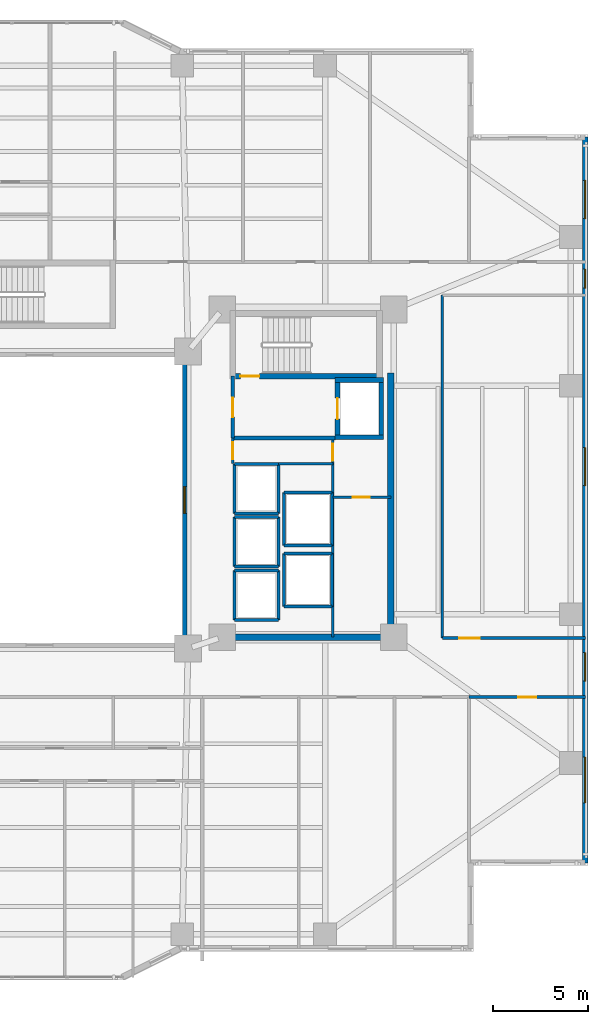
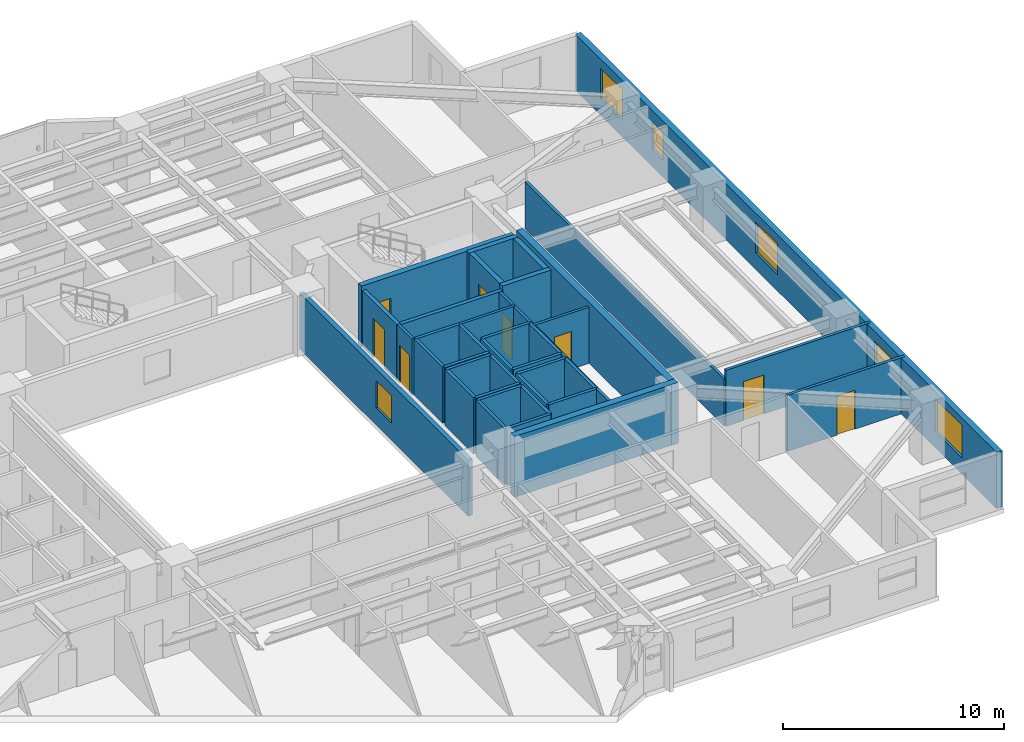
# One storey, part 12 of 19: 38 walls, 8 doors, 6 windows, 14 openings.
"""IFC4 building model written with IfcOpenShell, lengths in metres."""

import ifcopenshell
import ifcopenshell.guid

model = None  # the IFC model being written
_history = None  # IfcOwnerHistory: only IFC2X3 demands one
_inside = {}  # id of a spatial element -> (the spatial element, [elements in it])
_under = {}  # id of a project, library or spatial element -> (it, [spatial elements below it])
_declared = {}  # id of a project -> (the project, [libraries it declares])
_typed = {}  # id of a type object -> (the type object, [elements of that type])
_made_of = {}  # id of a material, layer set ... -> (it, [elements and type objects made of it])


def new_model(schema):
    """Start an empty IFC model of exactly this schema.

    Asked for "IFC4X3", IfcOpenShell would pick the latest addendum, in which some entities
    have other attributes; the version numbers below select the first issue.
    IFC2X3 requires an IfcOwnerHistory on every rooted entity: one is made here for all.
    """
    global model, _history
    if schema == "IFC4X3":
        model = ifcopenshell.file(schema_version=(4, 3, 0, 0))
    else:
        model = ifcopenshell.file(schema=schema)
    _inside.clear()
    _under.clear()
    _declared.clear()
    _typed.clear()
    _made_of.clear()
    _history = None
    if model.schema == "IFC2X3":
        org = make("IfcOrganization", Name="unknown")
        user = make(
            "IfcPersonAndOrganization",
            ThePerson=make("IfcPerson", FamilyName="unknown"),
            TheOrganization=org,
        )
        app = make(
            "IfcApplication",
            ApplicationDeveloper=org,
            Version="unknown",
            ApplicationFullName="unknown",
            ApplicationIdentifier="unknown",
        )
        _history = make(
            "IfcOwnerHistory",
            OwningUser=user,
            OwningApplication=app,
            ChangeAction="ADDED",
            CreationDate=0,
        )
    return model


def make(cls, **values):
    """One entity of the class cls with the attributes given. An attribute that is None is left unset."""
    return model.create_entity(
        cls, **{name: value for name, value in values.items() if value is not None}
    )


def rooted(cls, **values):
    """An entity with a GlobalId (a new one), such as an element, a storey or a relation."""
    return make(cls, GlobalId=ifcopenshell.guid.new(), OwnerHistory=_history, **values)


def si_unit(unit_type, name, prefix=None):
    """IfcSIUnit, for example si_unit("LENGTHUNIT", "METRE", prefix="MILLI")."""
    return make("IfcSIUnit", UnitType=unit_type, Prefix=prefix, Name=name)


def assignment(units):
    """IfcUnitAssignment: the units of a project."""
    return None if units is None else make("IfcUnitAssignment", Units=units)


def point(xyz):
    """IfcCartesianPoint."""
    return None if xyz is None else make("IfcCartesianPoint", Coordinates=xyz)


def direction(xyz):
    """IfcDirection."""
    return None if xyz is None else make("IfcDirection", DirectionRatios=xyz)


def frame(location, z_axis=None, x_axis=None):
    """IfcAxis2Placement3D, a coordinate frame: its origin and axes. An axis left out is left unset."""
    return make(
        "IfcAxis2Placement3D",
        Location=point(location),
        Axis=direction(z_axis),
        RefDirection=direction(x_axis),
    )


def frame_2d(location, x_axis=None):
    """IfcAxis2Placement2D, a coordinate frame in the plane: its origin and x axis."""
    return make(
        "IfcAxis2Placement2D", Location=point(location), RefDirection=direction(x_axis)
    )


def origin():
    """The frame at (0, 0, 0) with its axes left unset."""
    return frame((0.0, 0.0, 0.0))


def place(relative_to, where):
    """IfcLocalPlacement: puts the frame where relative to a parent placement (None: the world)."""
    return make(
        "IfcLocalPlacement", PlacementRelTo=relative_to, RelativePlacement=where
    )


def context(
    kind, dimensions, precision=None, world=None, true_north=None, identifier=None
):
    """IfcGeometricRepresentationContext, for example the 3D "Model" context."""
    return make(
        "IfcGeometricRepresentationContext",
        ContextIdentifier=identifier,
        ContextType=kind,
        CoordinateSpaceDimension=dimensions,
        Precision=precision,
        WorldCoordinateSystem=world,
        TrueNorth=true_north,
    )


def subcontext(parent, identifier, kind, view, scale=None):
    """IfcGeometricRepresentationSubContext, for example "Body" below "Model"."""
    return make(
        "IfcGeometricRepresentationSubContext",
        ContextIdentifier=identifier,
        ContextType=kind,
        ParentContext=parent,
        TargetScale=scale,
        TargetView=view,
    )


def project(units=None, contexts=None):
    """IfcProject with its units and contexts."""
    return rooted(
        "IfcProject",
        Name="project",
        RepresentationContexts=contexts,
        UnitsInContext=assignment(units),
    )


def spatial(cls, under=None, at=None, **own):
    """A site, building, storey or space (cls), placed at a placement, below another one or the project."""
    s = rooted(cls, ObjectPlacement=at, **own)
    if under is not None:
        _under.setdefault(under.id(), (under, []))[1].append(s)
    return s


def profile(cls, at=None, kind="AREA", **sizes):
    """A parametric profile (cls). Its sizes go by their IFC names, for example OverallWidth=200.0."""
    return make(cls, ProfileType=kind, Position=at, **sizes)


def rectangle(**sizes):
    """IfcRectangleProfileDef."""
    return profile("IfcRectangleProfileDef", **sizes)


def extrude(swept, where, along, depth):
    """IfcExtrudedAreaSolid: the profile swept, set in the frame where, extruded along a direction by depth."""
    return make(
        "IfcExtrudedAreaSolid",
        SweptArea=swept,
        Position=where,
        ExtrudedDirection=direction(along),
        Depth=depth,
    )


def shape(context_of_items, identifier, shape_type, items):
    """IfcShapeRepresentation: the items that make up one representation, for example the "Body"."""
    return make(
        "IfcShapeRepresentation",
        ContextOfItems=context_of_items,
        RepresentationIdentifier=identifier,
        RepresentationType=shape_type,
        Items=items,
    )


def material(Name=None, Category=None):
    """IfcMaterial."""
    return make("IfcMaterial", Name=Name, Category=Category)


def layer(
    of_material, thickness, ventilated=None, Name=None, Category=None, Priority=None
):
    """IfcMaterialLayer: one layer of a wall or slab, of a material (None: an air gap)."""
    return make(
        "IfcMaterialLayer",
        Material=of_material,
        LayerThickness=thickness,
        IsVentilated=ventilated,
        Name=Name,
        Category=Category,
        Priority=Priority,
    )


def layer_set(layers, Name=None):
    """IfcMaterialLayerSet."""
    return make("IfcMaterialLayerSet", MaterialLayers=layers, LayerSetName=Name)


def made_of(thing, what):
    """Note that an element or type object is made of a material, layer set ...; save() writes the relation."""
    if what is not None:
        _made_of.setdefault(what.id(), (what, []))[1].append(thing)
    return thing


def type_object(cls, material=None, **own):
    """A type object (cls), such as IfcWallType, which elements share."""
    return made_of(rooted(cls, **own), material)


def element(
    cls,
    number,
    at=None,
    inside=None,
    cuts=None,
    type_object=None,
    material=None,
    context=None,
    identifier="Body",
    shape_type=None,
    held_by="IfcProductDefinitionShape",
    body=None,
    shapes=None,
    **own,
):
    """One element of the class cls, such as IfcWall. Its Tag is "e" and its number.

    at: its placement. inside: the storey or other place that contains it. cuts: it is an
    opening in that element (IfcRelVoidsElement). A single representation is given by context,
    identifier, shape_type and body (its items); several are given by shapes. held_by: the class
    of the entity that holds the representations. save() writes the other relations.
    """
    e = rooted(cls, Tag="e%d" % number, ObjectPlacement=at, **own)
    if body is not None:
        shapes = [shape(context, identifier, shape_type, body)]
    if shapes is not None:
        e.Representation = make(held_by, Representations=shapes)
    if inside is not None:
        _inside.setdefault(inside.id(), (inside, []))[1].append(e)
    if cuts is not None:
        rooted(
            "IfcRelVoidsElement", RelatingBuildingElement=cuts, RelatedOpeningElement=e
        )
    if type_object is not None:
        _typed.setdefault(type_object.id(), (type_object, []))[1].append(e)
    return made_of(e, material)


def fill(opening, filler):
    """IfcRelFillsElement: the door or window that sits in an opening."""
    return rooted(
        "IfcRelFillsElement",
        RelatingOpeningElement=opening,
        RelatedBuildingElement=filler,
    )


def aggregate(whole, parts):
    """IfcRelAggregates: a whole, such as a stair, and the parts it consists of."""
    return rooted("IfcRelAggregates", RelatingObject=whole, RelatedObjects=parts)


def save(model, path):
    """Write the relations noted so far, then the file.

    IfcRelAggregates (storeys below a building ...), IfcRelContainedInSpatialStructure (elements
    in a storey), IfcRelDefinesByType, IfcRelAssociatesMaterial and IfcRelDeclares: one each for
    every whole, place, type object, material and project.
    """
    for whole, parts in _under.values():
        aggregate(whole, parts)
    for where, things in _inside.values():
        rooted(
            "IfcRelContainedInSpatialStructure",
            RelatedElements=things,
            RelatingStructure=where,
        )
    for kind, things in _typed.values():
        rooted("IfcRelDefinesByType", RelatedObjects=things, RelatingType=kind)
    for what, things in _made_of.values():
        rooted("IfcRelAssociatesMaterial", RelatedObjects=things, RelatingMaterial=what)
    for by, libraries in _declared.values():
        rooted("IfcRelDeclares", RelatingContext=by, RelatedDefinitions=libraries)
    model.write(path)


model = new_model("IFC4")

# Units and contexts
model_context = context("Model", 3, precision=1e-05, world=origin(), true_north=direction((0.0, 1.0)))
body_context = subcontext(model_context, "Body", "Model", "MODEL_VIEW")
ifc_project = project(units=[si_unit("LENGTHUNIT", "METRE"), si_unit("AREAUNIT", "SQUARE_METRE"), si_unit("VOLUMEUNIT", "CUBIC_METRE"), si_unit("PLANEANGLEUNIT", "RADIAN"), si_unit("MASSUNIT", "GRAM", prefix="KILO")], contexts=[model_context])

# Site, building, storey
site_placement = place(None, origin())
site = spatial("IfcSite", under=ifc_project, at=site_placement, CompositionType="ELEMENT")
building_placement = place(site_placement, origin())
building = spatial("IfcBuilding", under=site, at=building_placement, Name="Tarnavaz Court Tower", CompositionType="ELEMENT")
storey_placement = place(building_placement, frame((0.0, 0.0, 54.14990234375)))
storey = spatial("IfcBuildingStorey", under=building, at=storey_placement, Name="L14", CompositionType="ELEMENT", Elevation=54.14990234375)

# Wall, opening, door
ifc_material_1 = material(Name="Concrete C60/75", Category="concrete")
ifc_layer_1 = layer(ifc_material_1, 0.25)
ifc_layer_set_1 = layer_set([ifc_layer_1], Name="Concrete C60/75")
wall_type_1 = type_object("IfcWallType", Name="WL-CORE-250-C60", PredefinedType="SHEAR", material=ifc_layer_set_1)
wall_1_placement = place(storey_placement, frame((15.64990234375, 3.175048828125, 0.0), z_axis=(0.0, 0.0, 1.0), x_axis=(0.0, 1.0, 0.0)))
wall_1 = element("IfcWall", 1, at=wall_1_placement, inside=storey, type_object=wall_type_1, Name="L14 Lift FL-E1 Shaft Wall 045", PredefinedType="SHEAR", context=body_context, shape_type="SweptSolid", body=[
    extrude(rectangle(XDim=3.25, YDim=0.25, at=frame_2d((1.625, 0.0))), origin(), (0.0, 0.0, 1.0), 3.35009765625),
])
opening_1_placement = place(wall_1_placement, frame((1.074951171875, 0.0, 0.0)))
opening_1 = element("IfcOpeningElement", 2, at=opening_1_placement, cuts=wall_1, Name="Opening LD1", PredefinedType="OPENING", context=body_context, shape_type="SweptSolid", body=[
    extrude(rectangle(XDim=1.10009765625, YDim=2.14990234375, at=frame_2d((0.550048828125, 1.074951171875))), frame((0.0, 0.135009765625, 0.0), z_axis=(0.0, -1.0, 0.0), x_axis=(1.0, 0.0, 0.0)), (0.0, 0.0, 1.0), 0.27001953125),
])
ifc_material_2 = material(Name="Stainless Steel", Category="steel")
door_type_1 = type_object("IfcDoorType", Name="DR-LD-1100", OperationType="NOTDEFINED", PredefinedType="DOOR", material=ifc_material_2)
door_1_placement = place(opening_1_placement, origin())
door_1 = element("IfcDoor", 3, at=door_1_placement, inside=storey, type_object=door_type_1, Name="L14 Lift Landing Door LD-FL-E1", OperationType="SLIDING_TO_LEFT", OverallHeight=2.14990234375, OverallWidth=1.10009765625, PredefinedType="DOOR", context=body_context, shape_type="SweptSolid", body=[
    extrude(rectangle(XDim=1.10009765625, YDim=2.14990234375, at=frame_2d((0.550048828125, 1.074951171875))), frame((0.0, 0.02490234375, 0.0), z_axis=(0.0, -1.0, 0.0), x_axis=(1.0, 0.0, 0.0)), (0.0, 0.0, 1.0), 0.050048828125),
])
fill(opening_1, door_1)

# Walls
wall_2_placement = place(storey_placement, frame((17.949951171875, 3.175048828125, 0.0), z_axis=(0.0, 0.0, 1.0), x_axis=(0.0, 1.0, 0.0)))
element("IfcWall", 4, at=wall_2_placement, inside=storey, type_object=wall_type_1, Name="L14 Lift FL-E1 Shaft Wall 046", PredefinedType="SHEAR", context=body_context, shape_type="SweptSolid", body=[
    extrude(rectangle(XDim=3.25, YDim=0.25, at=frame_2d((1.625, 0.0))), origin(), (0.0, 0.0, 1.0), 3.35009765625),
])
for number, where, z_axis, x_axis, name in (
    (5, (15.52490234375, 3.300048828125, 0.0), (0.0, 0.0, 1.0), (1.0, 0.0, 0.0), "L14 Lift FL-E1 Shaft Wall 047"),
    (6, (15.52490234375, 6.300048828125, 0.0), (0.0, 0.0, 1.0), (1.0, 0.0, 0.0), "L14 Lift FL-E1 Shaft Wall 048"),
):
    element("IfcWall", number, at=place(storey_placement, frame(where, z_axis=z_axis, x_axis=x_axis)), inside=storey, type_object=wall_type_1, Name=name, PredefinedType="SHEAR", context=body_context, shape_type="SweptSolid", body=[
        extrude(rectangle(XDim=2.550048828125, YDim=0.25, at=frame_2d((1.27490234375, 0.0))), origin(), (0.0, 0.0, 1.0), 3.35009765625),
    ])

# Wall, opening, door
ifc_layer_2 = layer(ifc_material_1, 0.300048828125)
ifc_layer_set_2 = layer_set([ifc_layer_2], Name="Concrete C60/75")
wall_type_2 = type_object("IfcWallType", Name="WL-CORE-300-C60", PredefinedType="SHEAR", material=ifc_layer_set_2)
wall_3_placement = place(storey_placement, frame((10.0, 6.5, 0.0), z_axis=(0.0, 0.0, 1.0), x_axis=(1.0, 0.0, 0.0)))
wall_3 = element("IfcWall", 7, at=wall_3_placement, inside=storey, type_object=wall_type_2, Name="L14 East Stair Core Wall 006", PredefinedType="SHEAR", context=body_context, shape_type="SweptSolid", body=[
    extrude(rectangle(XDim=8.0, YDim=0.300048828125, at=frame_2d((4.0, 0.0))), origin(), (0.0, 0.0, 1.0), 3.35009765625),
])
opening_2_placement = place(wall_3_placement, frame((0.550048828125, 0.0, 0.0)))
opening_2 = element("IfcOpeningElement", 8, at=opening_2_placement, cuts=wall_3, Name="Opening D01", PredefinedType="OPENING", context=body_context, shape_type="SweptSolid", body=[
    extrude(rectangle(XDim=1.0, YDim=2.14990234375, at=frame_2d((0.5, 1.074951171875))), frame((0.0, 0.159912109375, 0.0), z_axis=(0.0, -1.0, 0.0), x_axis=(1.0, 0.0, 0.0)), (0.0, 0.0, 1.0), 0.320068359375),
])
ifc_material_3 = material(Name="Fire-Rated Hardwood Timber Core", Category="wood")
door_type_2 = type_object("IfcDoorType", Name="DR-FD90-1000", OperationType="NOTDEFINED", PredefinedType="DOOR", material=ifc_material_3)
door_2_placement = place(opening_2_placement, origin())
door_2 = element("IfcDoor", 9, at=door_2_placement, inside=storey, type_object=door_type_2, Name="L14 Stair ST-E1 Exit Door", OperationType="SINGLE_SWING_RIGHT", OverallHeight=2.14990234375, OverallWidth=1.0, PredefinedType="DOOR", context=body_context, shape_type="SweptSolid", body=[
    extrude(rectangle(XDim=1.0, YDim=2.14990234375, at=frame_2d((0.5, 1.074951171875))), frame((0.0, 0.02490234375, 0.0), z_axis=(0.0, -1.0, 0.0), x_axis=(1.0, 0.0, 0.0)), (0.0, 0.0, 1.0), 0.050048828125),
])
fill(opening_2, door_2)

# Walls
ifc_layer_3 = layer(ifc_material_1, 0.35009765625)
ifc_layer_set_3 = layer_set([ifc_layer_3], Name="Concrete C60/75")
wall_type_3 = type_object("IfcWallType", Name="WL-CORE-350-C60", PredefinedType="SHEAR", material=ifc_layer_set_3)
wall_4_placement = place(storey_placement, frame((18.449951171875, -7.375, 0.0), z_axis=(0.0, 0.0, 1.0), x_axis=(0.0, 1.0, 0.0)))
element("IfcWall", 10, at=wall_4_placement, inside=storey, type_object=wall_type_3, Name="L14 East Core Shear Wall 071", PredefinedType="SHEAR", context=body_context, shape_type="SweptSolid", body=[
    extrude(rectangle(XDim=14.050048828125, YDim=0.35009765625, at=frame_2d((7.02490234375, 0.0))), origin(), (0.0, 0.0, 1.0), 3.35009765625),
])
wall_5_placement = place(storey_placement, frame((10.074951171875, -7.199951171875, 0.0), z_axis=(0.0, 0.0, 1.0), x_axis=(1.0, 0.0, 0.0)))
element("IfcWall", 11, at=wall_5_placement, inside=storey, type_object=wall_type_3, Name="L14 East Core South Shear Wall 072", PredefinedType="SHEAR", context=body_context, shape_type="SweptSolid", body=[
    extrude(rectangle(XDim=8.550048828125, YDim=0.35009765625, at=frame_2d((4.27490234375, 0.0))), origin(), (0.0, 0.0, 1.0), 3.35009765625),
])

# Wall, openings, windows
ifc_material_4 = material(Name="Precast Concrete C40/50", Category="concrete")
ifc_layer_4 = layer(ifc_material_4, 0.300048828125)
ifc_layer_set_4 = layer_set([ifc_layer_4], Name="Precast Concrete C40/50")
wall_type_4 = type_object("IfcWallType", Name="WL-EXT-300", PredefinedType="SOLIDWALL", material=ifc_layer_set_4)
wall_6_placement = place(storey_placement, frame((28.64990234375, 19.050048828125, 0.0), z_axis=(0.0, 0.0, 1.0), x_axis=(0.0, -1.0, 0.0)))
wall_6 = element("IfcWall", 12, at=wall_6_placement, inside=storey, type_object=wall_type_4, Name="L14 Exterior Terracotta Facade Wall 12", PredefinedType="SOLIDWALL", context=body_context, shape_type="SweptSolid", body=[
    extrude(rectangle(XDim=38.10009765625, YDim=0.300048828125, at=frame_2d((19.050048828125, 0.0))), origin(), (0.0, 0.0, 1.0), 3.10009765625),
])
opening_3_placement = place(wall_6_placement, frame((2.27490234375, 0.0, 0.89990234375)))
opening_3 = element("IfcOpeningElement", 13, at=opening_3_placement, cuts=wall_6, Name="Opening W08", PredefinedType="OPENING", context=body_context, shape_type="SweptSolid", body=[
    extrude(rectangle(XDim=2.0, YDim=1.699951171875, at=frame_2d((1.0, 0.85009765625))), frame((0.0, 0.159912109375, 0.0), z_axis=(0.0, -1.0, 0.0), x_axis=(1.0, 0.0, 0.0)), (0.0, 0.0, 1.0), 0.320068359375),
])
opening_4_placement = place(wall_6_placement, frame((6.925048828125, 0.0, 0.949951171875)))
opening_4 = element("IfcOpeningElement", 14, at=opening_4_placement, cuts=wall_6, Name="Opening W14", PredefinedType="OPENING", context=body_context, shape_type="SweptSolid", body=[
    extrude(rectangle(XDim=1.0, YDim=1.5, at=frame_2d((0.5, 0.75))), frame((0.0, 0.159912109375, 0.0), z_axis=(0.0, -1.0, 0.0), x_axis=(1.0, 0.0, 0.0)), (0.0, 0.0, 1.0), 0.320068359375),
])
opening_5_placement = place(wall_6_placement, frame((16.300048828125, 0.0, 0.89990234375)))
opening_5 = element("IfcOpeningElement", 15, at=opening_5_placement, cuts=wall_6, Name="Opening W08", PredefinedType="OPENING", context=body_context, shape_type="SweptSolid", body=[
    extrude(rectangle(XDim=2.0, YDim=1.699951171875, at=frame_2d((1.0, 0.85009765625))), frame((0.0, 0.159912109375, 0.0), z_axis=(0.0, -1.0, 0.0), x_axis=(1.0, 0.0, 0.0)), (0.0, 0.0, 1.0), 0.320068359375),
])
opening_6_placement = place(wall_6_placement, frame((27.0576171875, 0.0, 0.89990234375)))
opening_6 = element("IfcOpeningElement", 16, at=opening_6_placement, cuts=wall_6, Name="Opening W03", PredefinedType="OPENING", context=body_context, shape_type="SweptSolid", body=[
    extrude(rectangle(XDim=1.5, YDim=1.64990234375, at=frame_2d((0.75, 0.824951171875))), frame((0.0, 0.159912109375, 0.0), z_axis=(0.0, -1.0, 0.0), x_axis=(1.0, 0.0, 0.0)), (0.0, 0.0, 1.0), 0.320068359375),
])
opening_7_placement = place(wall_6_placement, frame((32.550048828125, 0.0, 0.89990234375)))
opening_7 = element("IfcOpeningElement", 17, at=opening_7_placement, cuts=wall_6, Name="Opening W06", PredefinedType="OPENING", context=body_context, shape_type="SweptSolid", body=[
    extrude(rectangle(XDim=2.39990234375, YDim=1.800048828125, at=frame_2d((1.199951171875, 0.89990234375))), frame((0.0, 0.159912109375, 0.0), z_axis=(0.0, -1.0, 0.0), x_axis=(1.0, 0.0, 0.0)), (0.0, 0.0, 1.0), 0.320068359375),
])
ifc_material_5 = material(Name="Double-Glazed Solar Low-E Glass", Category="glass")
window_type_1 = type_object("IfcWindowType", Name="WN-APT-1000", PartitioningType="SINGLE_PANEL", PredefinedType="WINDOW", material=ifc_material_5)
window_1_placement = place(opening_4_placement, origin())
window_1 = element("IfcWindow", 18, at=window_1_placement, inside=storey, type_object=window_type_1, Name="L14 North-East Corner Corridor Window", OverallHeight=1.5, OverallWidth=1.0, PartitioningType="SINGLE_PANEL", PredefinedType="WINDOW", context=body_context, shape_type="SweptSolid", body=[
    extrude(rectangle(XDim=1.0, YDim=1.5, at=frame_2d((0.5, 0.75))), frame((0.0, 0.030029296875, 0.0), z_axis=(0.0, -1.0, 0.0), x_axis=(1.0, 0.0, 0.0)), (0.0, 0.0, 1.0), 0.06005859375),
])
fill(opening_4, window_1)
window_type_2 = type_object("IfcWindowType", Name="WN-APT-1500", PartitioningType="DOUBLE_PANEL_VERTICAL", PredefinedType="WINDOW", material=ifc_material_5)
window_2_placement = place(opening_6_placement, origin())
window_2 = element("IfcWindow", 19, at=window_2_placement, inside=storey, type_object=window_type_2, Name="L14 South-East Corner Corridor Window", OverallHeight=1.64990234375, OverallWidth=1.5, PartitioningType="SINGLE_PANEL", PredefinedType="WINDOW", context=body_context, shape_type="SweptSolid", body=[
    extrude(rectangle(XDim=1.5, YDim=1.64990234375, at=frame_2d((0.75, 0.824951171875))), frame((0.0, 0.030029296875, 0.0), z_axis=(0.0, -1.0, 0.0), x_axis=(1.0, 0.0, 0.0)), (0.0, 0.0, 1.0), 0.06005859375),
])
fill(opening_6, window_2)
window_type_3 = type_object("IfcWindowType", Name="WN-APT-2000", PartitioningType="DOUBLE_PANEL_VERTICAL", PredefinedType="WINDOW", material=ifc_material_5)
window_3_placement = place(opening_3_placement, origin())
window_3 = element("IfcWindow", 20, at=window_3_placement, inside=storey, type_object=window_type_3, Name="L14 North-East Corner Sunroom Study Window", OverallHeight=1.699951171875, OverallWidth=2.0, PartitioningType="SINGLE_PANEL", PredefinedType="WINDOW", context=body_context, shape_type="SweptSolid", body=[
    extrude(rectangle(XDim=2.0, YDim=1.699951171875, at=frame_2d((1.0, 0.85009765625))), frame((0.0, 0.030029296875, 0.0), z_axis=(0.0, -1.0, 0.0), x_axis=(1.0, 0.0, 0.0)), (0.0, 0.0, 1.0), 0.06005859375),
])
fill(opening_3, window_3)
window_4_placement = place(opening_5_placement, origin())
window_4 = element("IfcWindow", 21, at=window_4_placement, inside=storey, type_object=window_type_3, Name="L14 East Wing Resident Fitness Lounge Window", OverallHeight=1.699951171875, OverallWidth=2.0, PartitioningType="SINGLE_PANEL", PredefinedType="WINDOW", context=body_context, shape_type="SweptSolid", body=[
    extrude(rectangle(XDim=2.0, YDim=1.699951171875, at=frame_2d((1.0, 0.85009765625))), frame((0.0, 0.030029296875, 0.0), z_axis=(0.0, -1.0, 0.0), x_axis=(1.0, 0.0, 0.0)), (0.0, 0.0, 1.0), 0.06005859375),
])
fill(opening_5, window_4)
window_type_4 = type_object("IfcWindowType", Name="WN-APT-2400", PartitioningType="TRIPLE_PANEL_VERTICAL", PredefinedType="WINDOW", material=ifc_material_5)
window_5_placement = place(opening_7_placement, origin())
window_5 = element("IfcWindow", 22, at=window_5_placement, inside=storey, type_object=window_type_4, Name="L14 South-East Corner Reading Room Window", OverallHeight=1.800048828125, OverallWidth=2.39990234375, PartitioningType="SINGLE_PANEL", PredefinedType="WINDOW", context=body_context, shape_type="SweptSolid", body=[
    extrude(rectangle(XDim=2.39990234375, YDim=1.800048828125, at=frame_2d((1.199951171875, 0.89990234375))), frame((0.0, 0.030029296875, 0.0), z_axis=(0.0, -1.0, 0.0), x_axis=(1.0, 0.0, 0.0)), (0.0, 0.0, 1.0), 0.06005859375),
])
fill(opening_7, window_5)

# Wall
ifc_material_6 = material(Name="Gypsum Fire-Board on Acoustic Metal Stud", Category="masonry")
ifc_layer_5 = layer(ifc_material_6, 0.14990234375)
ifc_layer_set_5 = layer_set([ifc_layer_5], Name="Gypsum Fire-Board on Acoustic Metal Stud")
wall_type_5 = type_object("IfcWallType", Name="WL-FIRE-150", PredefinedType="PARTITIONING", material=ifc_layer_set_5)
wall_7_placement = place(storey_placement, frame((21.14990234375, -7.25, 0.0), z_axis=(0.0, 0.0, 1.0), x_axis=(0.0, 1.0, 0.0)))
element("IfcWall", 23, at=wall_7_placement, inside=storey, type_object=wall_type_5, Name="L14 East Outer Link Wall 084", PredefinedType="PARTITIONING", context=body_context, shape_type="SweptSolid", body=[
    extrude(rectangle(XDim=18.0, YDim=0.14990234375, at=frame_2d((9.0, 0.0))), origin(), (0.0, 0.0, 1.0), 2.585205078125),
])

# Wall, opening, door
wall_8_placement = place(storey_placement, frame((21.14990234375, -7.25, 0.0), z_axis=(0.0, 0.0, 1.0), x_axis=(1.0, 0.0, 0.0)))
wall_8 = element("IfcWall", 24, at=wall_8_placement, inside=storey, type_object=wall_type_5, Name="L14 Interior Partition 115", PredefinedType="PARTITIONING", context=body_context, shape_type="SweptSolid", body=[
    extrude(rectangle(XDim=7.530029296875, YDim=0.14990234375, at=frame_2d((3.76513671875, 0.0))), origin(), (0.0, 0.0, 1.0), 3.10009765625),
])
opening_8_placement = place(wall_8_placement, frame((0.89990234375, 0.0, 0.0)))
opening_8 = element("IfcOpeningElement", 25, at=opening_8_placement, cuts=wall_8, Name="Opening D12", PredefinedType="OPENING", context=body_context, shape_type="SweptSolid", body=[
    extrude(rectangle(XDim=1.080078125, YDim=2.14990234375, at=frame_2d((0.5400390625, 1.074951171875))), frame((0.0, 0.0849609375, 0.0), z_axis=(0.0, -1.0, 0.0), x_axis=(1.0, 0.0, 0.0)), (0.0, 0.0, 1.0), 0.169921875),
])
ifc_material_7 = material(Name="Engineered Oak Timber", Category="wood")
door_type_3 = type_object("IfcDoorType", Name="DR-INT-1100", OperationType="NOTDEFINED", PredefinedType="DOOR", material=ifc_material_7)
door_3_placement = place(opening_8_placement, origin())
door_3 = element("IfcDoor", 26, at=door_3_placement, inside=storey, type_object=door_type_3, Name="L14 East Fitness Lounge Door", OperationType="SINGLE_SWING_RIGHT", OverallHeight=2.14990234375, OverallWidth=1.080078125, PredefinedType="DOOR", context=body_context, shape_type="SweptSolid", body=[
    extrude(rectangle(XDim=1.080078125, YDim=2.14990234375, at=frame_2d((0.5400390625, 1.074951171875))), frame((0.0, 0.02490234375, 0.0), z_axis=(0.0, -1.0, 0.0), x_axis=(1.0, 0.0, 0.0)), (0.0, 0.0, 1.0), 0.050048828125),
])
fill(opening_8, door_3)

wall_9_placement = place(storey_placement, frame((22.550048828125, -10.35009765625, 0.0), z_axis=(0.0, 0.0, 1.0), x_axis=(1.0, 0.0, 0.0)))
wall_9 = element("IfcWall", 27, at=wall_9_placement, inside=storey, type_object=wall_type_5, Name="L14 Interior Partition 124", PredefinedType="PARTITIONING", context=body_context, shape_type="SweptSolid", body=[
    extrude(rectangle(XDim=6.1298828125, YDim=0.14990234375, at=frame_2d((3.06494140625, 0.0))), origin(), (0.0, 0.0, 1.0), 3.10009765625),
])
opening_9_placement = place(wall_9_placement, frame((2.590087890625, 0.0, 0.0)))
opening_9 = element("IfcOpeningElement", 28, at=opening_9_placement, cuts=wall_9, Name="Opening D13", PredefinedType="OPENING", context=body_context, shape_type="SweptSolid", body=[
    extrude(rectangle(XDim=0.949951171875, YDim=2.14990234375, at=frame_2d((0.47509765625, 1.074951171875))), frame((0.0, 0.0849609375, 0.0), z_axis=(0.0, -1.0, 0.0), x_axis=(1.0, 0.0, 0.0)), (0.0, 0.0, 1.0), 0.169921875),
])
door_type_4 = type_object("IfcDoorType", Name="DR-INT-950", OperationType="NOTDEFINED", PredefinedType="DOOR", material=ifc_material_7)
door_4_placement = place(opening_9_placement, origin())
door_4 = element("IfcDoor", 29, at=door_4_placement, inside=storey, type_object=door_type_4, Name="L14 SE Reading Room Door", OperationType="SINGLE_SWING_RIGHT", OverallHeight=2.14990234375, OverallWidth=0.949951171875, PredefinedType="DOOR", context=body_context, shape_type="SweptSolid", body=[
    extrude(rectangle(XDim=0.949951171875, YDim=2.14990234375, at=frame_2d((0.47509765625, 1.074951171875))), frame((0.0, 0.02490234375, 0.0), z_axis=(0.0, -1.0, 0.0), x_axis=(1.0, 0.0, 0.0)), (0.0, 0.0, 1.0), 0.050048828125),
])
fill(opening_9, door_4)

# Wall
ifc_material_8 = material(Name="Autoclaved Aerated Concrete Blockwork", Category="masonry")
ifc_layer_6 = layer(ifc_material_8, 0.199951171875)
ifc_layer_set_6 = layer_set([ifc_layer_6], Name="Autoclaved Aerated Concrete Blockwork")
wall_type_6 = type_object("IfcWallType", Name="WL-FIRE-200", PredefinedType="SOLIDWALL", material=ifc_layer_set_6)
wall_10_placement = place(storey_placement, frame((10.14990234375, 3.25, 0.0), z_axis=(0.0, 0.0, 1.0), x_axis=(1.0, 0.0, 0.0)))
element("IfcWall", 30, at=wall_10_placement, inside=storey, type_object=wall_type_6, Name="L14 East Firefighting Lobby Wall 015", PredefinedType="SOLIDWALL", context=body_context, shape_type="SweptSolid", body=[
    extrude(rectangle(XDim=5.400146484375, YDim=0.199951171875, at=frame_2d((2.7001953125, 0.0))), origin(), (0.0, 0.0, 1.0), 3.10009765625),
])

# Wall, opening, door
wall_11_placement = place(storey_placement, frame((10.14990234375, 3.25, 0.0), z_axis=(0.0, 0.0, 1.0), x_axis=(0.0, 1.0, 0.0)))
wall_11 = element("IfcWall", 31, at=wall_11_placement, inside=storey, type_object=wall_type_6, Name="L14 East Firefighting Lobby Wall 016", PredefinedType="SOLIDWALL", context=body_context, shape_type="SweptSolid", body=[
    extrude(rectangle(XDim=3.25, YDim=0.199951171875, at=frame_2d((1.625, 0.0))), origin(), (0.0, 0.0, 1.0), 3.10009765625),
])
opening_10_placement = place(wall_11_placement, frame((1.10009765625, 0.0, 0.0)))
opening_10 = element("IfcOpeningElement", 32, at=opening_10_placement, cuts=wall_11, Name="Opening D05", PredefinedType="OPENING", context=body_context, shape_type="SweptSolid", body=[
    extrude(rectangle(XDim=1.02001953125, YDim=2.14990234375, at=frame_2d((0.510009765625, 1.074951171875))), frame((0.0, 0.10986328125, 0.0), z_axis=(0.0, -1.0, 0.0), x_axis=(1.0, 0.0, 0.0)), (0.0, 0.0, 1.0), 0.219970703125),
])
door_type_5 = type_object("IfcDoorType", Name="DR-FD60-1000", OperationType="NOTDEFINED", PredefinedType="DOOR", material=ifc_material_3)
door_5_placement = place(opening_10_placement, origin())
door_5 = element("IfcDoor", 33, at=door_5_placement, inside=storey, type_object=door_type_5, Name="L14 East Firefighting Lobby Door", OperationType="SINGLE_SWING_LEFT", OverallHeight=2.14990234375, OverallWidth=1.02001953125, PredefinedType="DOOR", context=body_context, shape_type="SweptSolid", body=[
    extrude(rectangle(XDim=1.02001953125, YDim=2.14990234375, at=frame_2d((0.510009765625, 1.074951171875))), frame((0.0, 0.02490234375, 0.0), z_axis=(0.0, -1.0, 0.0), x_axis=(1.0, 0.0, 0.0)), (0.0, 0.0, 1.0), 0.050048828125),
])
fill(opening_10, door_5)

# Wall
ifc_material_9 = material(Name="Gypsum Plasterboard Acoustic Partition", Category="masonry")
ifc_layer_7 = layer(ifc_material_9, 0.139892578125)
ifc_layer_set_7 = layer_set([ifc_layer_7], Name="Gypsum Plasterboard Acoustic Partition")
wall_type_7 = type_object("IfcWallType", Name="WL-PART-150", PredefinedType="PARTITIONING", material=ifc_layer_set_7)
wall_12_placement = place(storey_placement, frame((12.550048828125, 1.89990234375, 0.0), z_axis=(0.0, 0.0, 1.0), x_axis=(1.0, 0.0, 0.0)))
element("IfcWall", 34, at=wall_12_placement, inside=storey, type_object=wall_type_7, Name="L14 Interior Partition 078", PredefinedType="PARTITIONING", context=body_context, shape_type="SweptSolid", body=[
    extrude(rectangle(XDim=2.849853515625, YDim=0.139892578125, at=frame_2d((1.4248046875, 0.0))), origin(), (0.0, 0.0, 1.0), 3.10009765625),
])

# Wall, opening, door
wall_13_placement = place(storey_placement, frame((10.14990234375, 1.919921875, 0.0), z_axis=(0.0, 0.0, 1.0), x_axis=(0.0, 1.0, 0.0)))
wall_13 = element("IfcWall", 35, at=wall_13_placement, inside=storey, type_object=wall_type_7, Name="L14 Interior Partition 079", PredefinedType="PARTITIONING", context=body_context, shape_type="SweptSolid", body=[
    extrude(rectangle(XDim=1.330078125, YDim=0.139892578125, at=frame_2d((0.6650390625, 0.0))), origin(), (0.0, 0.0, 1.0), 3.10009765625),
])
opening_11_placement = place(wall_13_placement, frame((0.219970703125, 0.0, 0.0)))
opening_11 = element("IfcOpeningElement", 36, at=opening_11_placement, cuts=wall_13, Name="Opening D09", PredefinedType="OPENING", context=body_context, shape_type="SweptSolid", body=[
    extrude(rectangle(XDim=0.89990234375, YDim=2.080078125, at=frame_2d((0.449951171875, 1.0400390625))), frame((0.0, 0.079833984375, 0.0), z_axis=(0.0, -1.0, 0.0), x_axis=(1.0, 0.0, 0.0)), (0.0, 0.0, 1.0), 0.159912109375),
])
door_type_6 = type_object("IfcDoorType", Name="DR-FD30-900", OperationType="NOTDEFINED", PredefinedType="DOOR", material=ifc_material_3)
door_6_placement = place(opening_11_placement, origin())
door_6 = element("IfcDoor", 37, at=door_6_placement, inside=storey, type_object=door_type_6, Name="L14 East Core Service Lobby Door", OperationType="SINGLE_SWING_LEFT", OverallHeight=2.080078125, OverallWidth=0.89990234375, PredefinedType="DOOR", context=body_context, shape_type="SweptSolid", body=[
    extrude(rectangle(XDim=0.89990234375, YDim=2.080078125, at=frame_2d((0.449951171875, 1.0400390625))), frame((0.0, 0.02490234375, 0.0), z_axis=(0.0, -1.0, 0.0), x_axis=(1.0, 0.0, 0.0)), (0.0, 0.0, 1.0), 0.050048828125),
])
fill(opening_11, door_6)

wall_14_placement = place(storey_placement, frame((15.39990234375, -7.199951171875, 0.0), z_axis=(0.0, 0.0, 1.0), x_axis=(0.0, 1.0, 0.0)))
wall_14 = element("IfcWall", 38, at=wall_14_placement, inside=storey, type_object=wall_type_7, Name="L14 Interior Partition 080", PredefinedType="PARTITIONING", context=body_context, shape_type="SweptSolid", body=[
    extrude(rectangle(XDim=10.449951171875, YDim=0.139892578125, at=frame_2d((5.22509765625, 0.0))), origin(), (0.0, 0.0, 1.0), 3.10009765625),
])
opening_12_placement = place(wall_14_placement, frame((9.25, 0.0, 0.0)))
opening_12 = element("IfcOpeningElement", 39, at=opening_12_placement, cuts=wall_14, Name="Opening D09", PredefinedType="OPENING", context=body_context, shape_type="SweptSolid", body=[
    extrude(rectangle(XDim=0.89990234375, YDim=2.080078125, at=frame_2d((0.449951171875, 1.0400390625))), frame((0.0, 0.079833984375, 0.0), z_axis=(0.0, -1.0, 0.0), x_axis=(1.0, 0.0, 0.0)), (0.0, 0.0, 1.0), 0.159912109375),
])
door_7_placement = place(opening_12_placement, origin())
door_7 = element("IfcDoor", 40, at=door_7_placement, inside=storey, type_object=door_type_6, Name="L14 East Wet Riser Door", OperationType="SINGLE_SWING_RIGHT", OverallHeight=2.080078125, OverallWidth=0.89990234375, PredefinedType="DOOR", context=body_context, shape_type="SweptSolid", body=[
    extrude(rectangle(XDim=0.89990234375, YDim=2.080078125, at=frame_2d((0.449951171875, 1.0400390625))), frame((0.0, 0.02490234375, 0.0), z_axis=(0.0, -1.0, 0.0), x_axis=(1.0, 0.0, 0.0)), (0.0, 0.0, 1.0), 0.050048828125),
])
fill(opening_12, door_7)

wall_15_placement = place(storey_placement, frame((15.39990234375, 0.14990234375, 0.0), z_axis=(0.0, 0.0, 1.0), x_axis=(1.0, 0.0, 0.0)))
wall_15 = element("IfcWall", 41, at=wall_15_placement, inside=storey, type_object=wall_type_7, Name="L14 Interior Partition 081", PredefinedType="PARTITIONING", context=body_context, shape_type="SweptSolid", body=[
    extrude(rectangle(XDim=3.050048828125, YDim=0.139892578125, at=frame_2d((1.52490234375, 0.0))), origin(), (0.0, 0.0, 1.0), 3.10009765625),
])
opening_13_placement = place(wall_15_placement, frame((1.050048828125, 0.0, 0.0)))
opening_13 = element("IfcOpeningElement", 42, at=opening_13_placement, cuts=wall_15, Name="Opening D09", PredefinedType="OPENING", context=body_context, shape_type="SweptSolid", body=[
    extrude(rectangle(XDim=0.89990234375, YDim=2.080078125, at=frame_2d((0.449951171875, 1.0400390625))), frame((0.0, 0.079833984375, 0.0), z_axis=(0.0, -1.0, 0.0), x_axis=(1.0, 0.0, 0.0)), (0.0, 0.0, 1.0), 0.159912109375),
])
door_8_placement = place(opening_13_placement, origin())
door_8 = element("IfcDoor", 43, at=door_8_placement, inside=storey, type_object=door_type_6, Name="L14 East Electrical Plant Door", OperationType="SINGLE_SWING_LEFT", OverallHeight=2.080078125, OverallWidth=0.89990234375, PredefinedType="DOOR", context=body_context, shape_type="SweptSolid", body=[
    extrude(rectangle(XDim=0.89990234375, YDim=2.080078125, at=frame_2d((0.449951171875, 1.0400390625))), frame((0.0, 0.02490234375, 0.0), z_axis=(0.0, -1.0, 0.0), x_axis=(1.0, 0.0, 0.0)), (0.0, 0.0, 1.0), 0.050048828125),
])
fill(opening_13, door_8)

# Walls
ifc_layer_8 = layer(ifc_material_8, 0.159912109375)
ifc_layer_set_8 = layer_set([ifc_layer_8], Name="Autoclaved Aerated Concrete Blockwork")
wall_type_8 = type_object("IfcWallType", Name="WL-SHAFT-150", PredefinedType="SOLIDWALL", material=ifc_layer_set_8)
for number, where, z_axis, x_axis, name in (
    (44, (10.25, -6.300048828125, 0.0), (0.0, 0.0, 1.0), (0.0, 1.0, 0.0), "L14 Lift PL-M1 Shaft Wall 049"),
    (45, (12.550048828125, -6.300048828125, 0.0), (0.0, 0.0, 1.0), (0.0, 1.0, 0.0), "L14 Lift PL-M1 Shaft Wall 050"),
):
    element("IfcWall", number, at=place(storey_placement, frame(where, z_axis=z_axis, x_axis=x_axis)), inside=storey, type_object=wall_type_8, Name=name, PredefinedType="SOLIDWALL", context=body_context, shape_type="SweptSolid", body=[
        extrude(rectangle(XDim=2.60009765625, YDim=0.159912109375, at=frame_2d((1.300048828125, 0.0))), origin(), (0.0, 0.0, 1.0), 3.10009765625),
    ])
for number, where, z_axis, x_axis, name in (
    (46, (10.25, -6.300048828125, 0.0), (0.0, 0.0, 1.0), (1.0, 0.0, 0.0), "L14 Lift PL-M1 Shaft Wall 051"),
    (47, (10.25, -3.699951171875, 0.0), (0.0, 0.0, 1.0), (1.0, 0.0, 0.0), "L14 Lift PL-M1 Shaft Wall 052"),
):
    element("IfcWall", number, at=place(storey_placement, frame(where, z_axis=z_axis, x_axis=x_axis)), inside=storey, type_object=wall_type_8, Name=name, PredefinedType="SOLIDWALL", context=body_context, shape_type="SweptSolid", body=[
        extrude(rectangle(XDim=2.300048828125, YDim=0.159912109375, at=frame_2d((1.14990234375, 0.0))), origin(), (0.0, 0.0, 1.0), 3.10009765625),
    ])
for number, where, z_axis, x_axis, name in (
    (48, (10.25, -3.5, 0.0), (0.0, 0.0, 1.0), (0.0, 1.0, 0.0), "L14 Lift PL-M2 Shaft Wall 053"),
    (49, (12.550048828125, -3.5, 0.0), (0.0, 0.0, 1.0), (0.0, 1.0, 0.0), "L14 Lift PL-M2 Shaft Wall 054"),
):
    element("IfcWall", number, at=place(storey_placement, frame(where, z_axis=z_axis, x_axis=x_axis)), inside=storey, type_object=wall_type_8, Name=name, PredefinedType="SOLIDWALL", context=body_context, shape_type="SweptSolid", body=[
        extrude(rectangle(XDim=2.60009765625, YDim=0.159912109375, at=frame_2d((1.300048828125, 0.0))), origin(), (0.0, 0.0, 1.0), 3.10009765625),
    ])
for number, where, z_axis, x_axis, name in (
    (50, (10.25, -3.5, 0.0), (0.0, 0.0, 1.0), (1.0, 0.0, 0.0), "L14 Lift PL-M2 Shaft Wall 055"),
    (51, (10.25, -0.89990234375, 0.0), (0.0, 0.0, 1.0), (1.0, 0.0, 0.0), "L14 Lift PL-M2 Shaft Wall 056"),
):
    element("IfcWall", number, at=place(storey_placement, frame(where, z_axis=z_axis, x_axis=x_axis)), inside=storey, type_object=wall_type_8, Name=name, PredefinedType="SOLIDWALL", context=body_context, shape_type="SweptSolid", body=[
        extrude(rectangle(XDim=2.300048828125, YDim=0.159912109375, at=frame_2d((1.14990234375, 0.0))), origin(), (0.0, 0.0, 1.0), 3.10009765625),
    ])
for number, where, z_axis, x_axis, name in (
    (52, (10.25, -0.699951171875, 0.0), (0.0, 0.0, 1.0), (0.0, 1.0, 0.0), "L14 Lift PL-M3 Shaft Wall 057"),
    (53, (12.550048828125, -0.699951171875, 0.0), (0.0, 0.0, 1.0), (0.0, 1.0, 0.0), "L14 Lift PL-M3 Shaft Wall 058"),
):
    element("IfcWall", number, at=place(storey_placement, frame(where, z_axis=z_axis, x_axis=x_axis)), inside=storey, type_object=wall_type_8, Name=name, PredefinedType="SOLIDWALL", context=body_context, shape_type="SweptSolid", body=[
        extrude(rectangle(XDim=2.599853515625, YDim=0.159912109375, at=frame_2d((1.2998046875, 0.0))), origin(), (0.0, 0.0, 1.0), 3.10009765625),
    ])
for number, where, z_axis, x_axis, name in (
    (54, (10.25, -0.699951171875, 0.0), (0.0, 0.0, 1.0), (1.0, 0.0, 0.0), "L14 Lift PL-M3 Shaft Wall 059"),
    (55, (10.25, 1.89990234375, 0.0), (0.0, 0.0, 1.0), (1.0, 0.0, 0.0), "L14 Lift PL-M3 Shaft Wall 060"),
):
    element("IfcWall", number, at=place(storey_placement, frame(where, z_axis=z_axis, x_axis=x_axis)), inside=storey, type_object=wall_type_8, Name=name, PredefinedType="SOLIDWALL", context=body_context, shape_type="SweptSolid", body=[
        extrude(rectangle(XDim=2.300048828125, YDim=0.159912109375, at=frame_2d((1.14990234375, 0.0))), origin(), (0.0, 0.0, 1.0), 3.10009765625),
    ])
for number, where, z_axis, x_axis, name in (
    (56, (12.85009765625, -5.60009765625, 0.0), (0.0, 0.0, 1.0), (0.0, 1.0, 0.0), "L14 Lift PL-OB1 Shaft Wall 061"),
    (57, (15.35009765625, -5.60009765625, 0.0), (0.0, 0.0, 1.0), (0.0, 1.0, 0.0), "L14 Lift PL-OB1 Shaft Wall 062"),
):
    element("IfcWall", number, at=place(storey_placement, frame(where, z_axis=z_axis, x_axis=x_axis)), inside=storey, type_object=wall_type_8, Name=name, PredefinedType="SOLIDWALL", context=body_context, shape_type="SweptSolid", body=[
        extrude(rectangle(XDim=2.800048828125, YDim=0.159912109375, at=frame_2d((1.39990234375, 0.0))), origin(), (0.0, 0.0, 1.0), 3.10009765625),
    ])
for number, where, z_axis, x_axis, name in (
    (58, (12.85009765625, -5.60009765625, 0.0), (0.0, 0.0, 1.0), (1.0, 0.0, 0.0), "L14 Lift PL-OB1 Shaft Wall 063"),
    (59, (12.85009765625, -2.800048828125, 0.0), (0.0, 0.0, 1.0), (1.0, 0.0, 0.0), "L14 Lift PL-OB1 Shaft Wall 064"),
):
    element("IfcWall", number, at=place(storey_placement, frame(where, z_axis=z_axis, x_axis=x_axis)), inside=storey, type_object=wall_type_8, Name=name, PredefinedType="SOLIDWALL", context=body_context, shape_type="SweptSolid", body=[
        extrude(rectangle(XDim=2.5, YDim=0.159912109375, at=frame_2d((1.25, 0.0))), origin(), (0.0, 0.0, 1.0), 3.10009765625),
    ])
for number, where, z_axis, x_axis, name in (
    (60, (12.85009765625, -2.39990234375, 0.0), (0.0, 0.0, 1.0), (0.0, 1.0, 0.0), "L14 Lift PL-OB2 Shaft Wall 065"),
    (61, (15.35009765625, -2.39990234375, 0.0), (0.0, 0.0, 1.0), (0.0, 1.0, 0.0), "L14 Lift PL-OB2 Shaft Wall 066"),
):
    element("IfcWall", number, at=place(storey_placement, frame(where, z_axis=z_axis, x_axis=x_axis)), inside=storey, type_object=wall_type_8, Name=name, PredefinedType="SOLIDWALL", context=body_context, shape_type="SweptSolid", body=[
        extrude(rectangle(XDim=2.7998046875, YDim=0.159912109375, at=frame_2d((1.39990234375, 0.0))), origin(), (0.0, 0.0, 1.0), 3.10009765625),
    ])
for number, where, z_axis, x_axis, name in (
    (62, (12.85009765625, -2.39990234375, 0.0), (0.0, 0.0, 1.0), (1.0, 0.0, 0.0), "L14 Lift PL-OB2 Shaft Wall 067"),
    (63, (12.85009765625, 0.39990234375, 0.0), (0.0, 0.0, 1.0), (1.0, 0.0, 0.0), "L14 Lift PL-OB2 Shaft Wall 068"),
):
    element("IfcWall", number, at=place(storey_placement, frame(where, z_axis=z_axis, x_axis=x_axis)), inside=storey, type_object=wall_type_8, Name=name, PredefinedType="SOLIDWALL", context=body_context, shape_type="SweptSolid", body=[
        extrude(rectangle(XDim=2.5, YDim=0.159912109375, at=frame_2d((1.25, 0.0))), origin(), (0.0, 0.0, 1.0), 3.10009765625),
    ])

# Wall, opening, window
ifc_layer_9 = layer(ifc_material_4, 0.239990234375)
ifc_layer_set_9 = layer_set([ifc_layer_9], Name="Precast Concrete C40/50")
wall_type_9 = type_object("IfcWallType", Name="WL-WELL-240", PredefinedType="SOLIDWALL", material=ifc_layer_set_9)
wall_16_placement = place(storey_placement, frame((7.6201171875, -7.6201171875, 0.0), z_axis=(0.0, 0.0, 1.0), x_axis=(0.0, 1.0, 0.0)))
wall_16 = element("IfcWall", 64, at=wall_16_placement, inside=storey, type_object=wall_type_9, Name="L14 Badgir Light-Well Exterior Wall E", PredefinedType="SOLIDWALL", context=body_context, shape_type="SweptSolid", body=[
    extrude(rectangle(XDim=15.240234375, YDim=0.239990234375, at=frame_2d((7.6201171875, 0.0))), origin(), (0.0, 0.0, 1.0), 3.10009765625),
])
opening_14_placement = place(wall_16_placement, frame((6.919921875, 0.0, 0.949951171875)))
opening_14 = element("IfcOpeningElement", 65, at=opening_14_placement, cuts=wall_16, Name="Opening W13", PredefinedType="OPENING", context=body_context, shape_type="SweptSolid", body=[
    extrude(rectangle(XDim=1.39990234375, YDim=1.5, at=frame_2d((0.699951171875, 0.75))), frame((0.0, 0.1298828125, 0.0), z_axis=(0.0, -1.0, 0.0), x_axis=(1.0, 0.0, 0.0)), (0.0, 0.0, 1.0), 0.260009765625),
])
window_type_5 = type_object("IfcWindowType", Name="WN-WEL-1400", PartitioningType="SINGLE_PANEL", PredefinedType="WINDOW", material=ifc_material_5)
window_6_placement = place(opening_14_placement, origin())
window_6 = element("IfcWindow", 66, at=window_6_placement, inside=storey, type_object=window_type_5, Name="L14 Courtyard Gallery Window E", OverallHeight=1.5, OverallWidth=1.39990234375, PartitioningType="SINGLE_PANEL", PredefinedType="WINDOW", context=body_context, shape_type="SweptSolid", body=[
    extrude(rectangle(XDim=1.39990234375, YDim=1.5, at=frame_2d((0.699951171875, 0.75))), frame((0.0, 0.030029296875, 0.0), z_axis=(0.0, -1.0, 0.0), x_axis=(1.0, 0.0, 0.0)), (0.0, 0.0, 1.0), 0.06005859375),
])
fill(opening_14, window_6)

save(model, "model.ifc")
